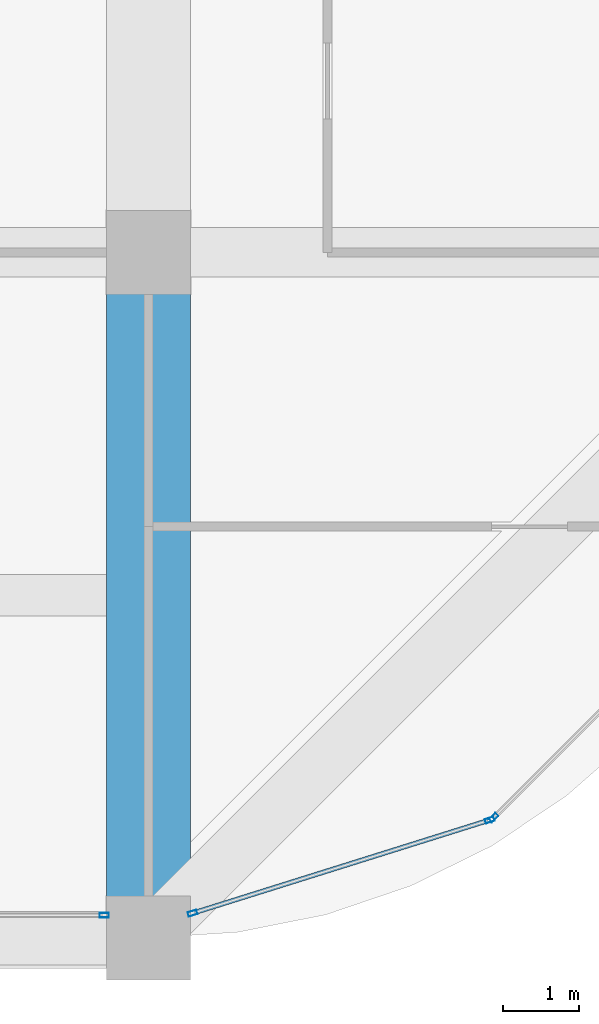
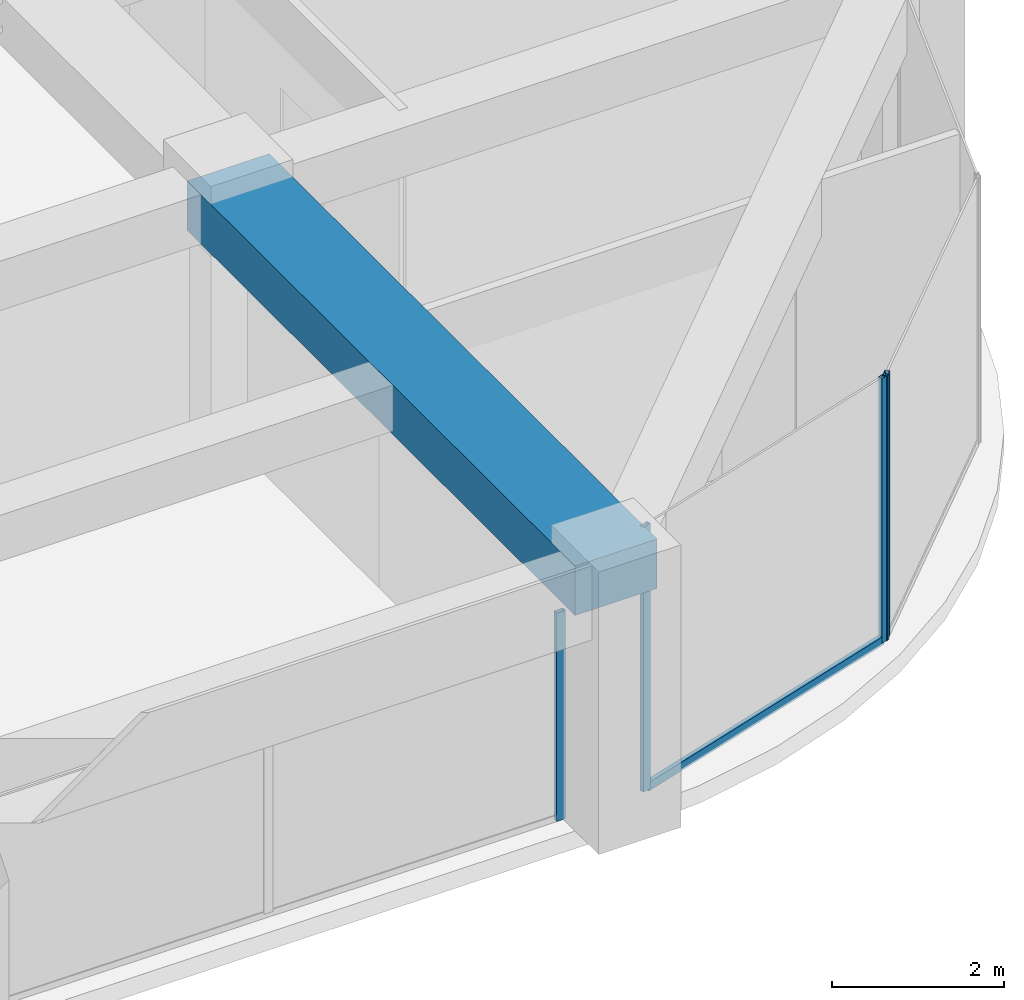
# One storey, part 18 of 45: 5 members, 1 beam, 3 elements without a shape of their own.
"""IFC4 building model written with IfcOpenShell, lengths in metres."""

from ifc_helpers import new_model, si_unit, direction, frame, origin, origin_2d, place, context, subcontext, project, spatial, rectangle, hollow_rectangle, extrude, material, material_profile, profile_set, type_object, element, aggregate, save


model = new_model("IFC4")

# Units and contexts
model_context = context("Model", 3, precision=1e-05, world=origin(), true_north=direction((0.0, 1.0)))
body_context = subcontext(model_context, "Body", "Model", "MODEL_VIEW")
ifc_project = project(units=[si_unit("LENGTHUNIT", "METRE"), si_unit("AREAUNIT", "SQUARE_METRE"), si_unit("VOLUMEUNIT", "CUBIC_METRE"), si_unit("PLANEANGLEUNIT", "RADIAN"), si_unit("MASSUNIT", "GRAM", prefix="KILO")], contexts=[model_context])

# Site, building, storey
site_placement = place(None, origin())
site = spatial("IfcSite", under=ifc_project, at=site_placement, CompositionType="ELEMENT")
building_placement = place(site_placement, origin())
building = spatial("IfcBuilding", under=site, at=building_placement, Name="Zorevar Civic Tower", CompositionType="ELEMENT")
storey_placement = place(building_placement, frame((0.0, 0.0, 279.39990234375)))
storey = spatial("IfcBuildingStorey", under=building, at=storey_placement, Name="L68", CompositionType="ELEMENT", Elevation=279.39990234375)

# Beam
ifc_material_1 = material(Name="Concrete C50/60", Category="concrete")
ifc_material_profile_1 = material_profile(ifc_material_1, rectangle(XDim=1.10009765625, YDim=0.699951171875, at=origin_2d()), Name="RC 1100x700")
ifc_profile_set_1 = profile_set([ifc_material_profile_1], Name="Concrete C50/60")
beam_type = type_object("IfcBeamType", Name="Beam RC 1100x700", PredefinedType="BEAM", material=ifc_profile_set_1)
beam_placement = place(storey_placement, frame((45.0, 0.0, 3.400146484375), z_axis=(0.0, 1.0, 0.0), x_axis=(-1.0, 0.0, 0.0)))
element("IfcBeam", 1, at=beam_placement, inside=storey, type_object=beam_type, Name="Girder L69", PredefinedType="BEAM", context=body_context, shape_type="SweptSolid", body=[
    extrude(rectangle(XDim=1.10009765625, YDim=0.699951171875, at=origin_2d()), origin(), (0.0, 0.0, 1.0), 9.0),
])

# Curtain wall, member
ifc_material_2 = material(Name="Dark grey solar-control glass in black aluminium frame", Category="aluminium")
curtain_wall_type = type_object("IfcCurtainWallType", Name="Curtain wall CW5 top zone", PredefinedType="NOTDEFINED", material=ifc_material_2)
curtain_wall_1_placement = place(storey_placement, origin())
curtain_wall_1 = element("IfcCurtainWall", 2, at=curtain_wall_1_placement, inside=storey, type_object=curtain_wall_type, Name="CW5 L68", PredefinedType="NOTDEFINED")
ifc_material_3 = material(Name="Aluminium, black anodised", Category="aluminium")
ifc_material_profile_2 = material_profile(ifc_material_3, hollow_rectangle(XDim=0.06005859375, YDim=0.1201171875, WallThickness=0.0029296875, at=origin_2d()), Name="AL 120x60x3")
ifc_profile_set_2 = profile_set([ifc_material_profile_2], Name="Aluminium, black anodised")
member_type_1 = type_object("IfcMemberType", Name="CW5 mullion AL 120x60x3", PredefinedType="MULLION", material=ifc_profile_set_2)
member_1_placement = place(storey_placement, frame((44.419921875, 0.300048828125, 0.0), z_axis=(0.0, 0.0, 1.0), x_axis=(0.0, 1.0, 0.0)))
member_1 = element("IfcMember", 3, at=member_1_placement, type_object=member_type_1, Name="CW5 mullion 3", PredefinedType="MULLION", context=body_context, shape_type="SweptSolid", body=[
    extrude(hollow_rectangle(XDim=0.06005859375, YDim=0.1201171875, WallThickness=0.0029296875, at=origin_2d()), origin(), (0.0, 0.0, 1.0), 2.9501953125),
])
aggregate(curtain_wall_1, [member_1])

# Curtain wall, members
curtain_wall_2_placement = place(storey_placement, origin())
curtain_wall_2 = element("IfcCurtainWall", 4, at=curtain_wall_2_placement, inside=storey, type_object=curtain_wall_type, Name="CW5 L68", PredefinedType="NOTDEFINED")
member_2_placement = place(storey_placement, frame((45.57861328125, 0.326416015625, 0.0), z_axis=(0.0, 0.0, 1.0), x_axis=(-0.299317920238, 0.954153437674, 0.0)))
member_2 = element("IfcMember", 5, at=member_2_placement, type_object=member_type_1, Name="CW5 mullion 1", PredefinedType="MULLION", context=body_context, shape_type="SweptSolid", body=[
    extrude(hollow_rectangle(XDim=0.06005859375, YDim=0.1201171875, WallThickness=0.0029296875, at=origin_2d()), origin(), (0.0, 0.0, 1.0), 3.75),
])
member_3_placement = place(storey_placement, frame((49.479248046875, 1.550048828125, 0.0), z_axis=(0.0, 0.0, 1.0), x_axis=(-0.299317920238, 0.954153437674, 0.0)))
member_3 = element("IfcMember", 6, at=member_3_placement, type_object=member_type_1, Name="CW5 mullion 2", PredefinedType="MULLION", context=body_context, shape_type="SweptSolid", body=[
    extrude(hollow_rectangle(XDim=0.06005859375, YDim=0.1201171875, WallThickness=0.0029296875, at=origin_2d()), origin(), (0.0, 0.0, 1.0), 3.75),
])

# Curtain wall, member
curtain_wall_3_placement = place(storey_placement, origin())
curtain_wall_3 = element("IfcCurtainWall", 7, at=curtain_wall_3_placement, inside=storey, type_object=curtain_wall_type, Name="CW5 L68", PredefinedType="NOTDEFINED")
member_4_placement = place(storey_placement, frame((49.529052734375, 1.580322265625, 0.0), z_axis=(0.0, 0.0, 1.0), x_axis=(-0.707106781187, 0.707106781187, 0.0)))
member_4 = element("IfcMember", 8, at=member_4_placement, type_object=member_type_1, Name="CW5 mullion 1", PredefinedType="MULLION", context=body_context, shape_type="SweptSolid", body=[
    extrude(hollow_rectangle(XDim=0.06005859375, YDim=0.1201171875, WallThickness=0.0029296875, at=origin_2d()), origin(), (0.0, 0.0, 1.0), 3.75),
])
aggregate(curtain_wall_3, [member_4])

# Member
ifc_material_4 = material(Name="Aluminium, black anodised", Category="aluminium")
ifc_material_profile_3 = material_profile(ifc_material_4, hollow_rectangle(XDim=0.06005859375, YDim=0.1201171875, WallThickness=0.0029296875, at=origin_2d()), Name="AL 120x60x3")
ifc_profile_set_3 = profile_set([ifc_material_profile_3], Name="Aluminium, black anodised")
member_type_2 = type_object("IfcMemberType", Name="CW5 transom AL 120x60x3", PredefinedType="USERDEFINED", material=ifc_profile_set_3)
member_5_placement = place(storey_placement, frame((45.607177734375, 0.33544921875, 0.030029296875), z_axis=(0.954163457351, 0.299285978047, 0.0), x_axis=(-0.299285978047, 0.954163457351, 0.0)))
member_5 = element("IfcMember", 9, at=member_5_placement, type_object=member_type_2, Name="CW5 sill transom", ObjectType="TRANSOM", PredefinedType="USERDEFINED", context=body_context, shape_type="SweptSolid", body=[
    extrude(hollow_rectangle(XDim=0.06005859375, YDim=0.1201171875, WallThickness=0.0029296875, at=origin_2d()), origin(), (0.0, 0.0, 1.0), 4.028076171875),
])

aggregate(curtain_wall_2, [member_2, member_3, member_5])

save(model, "model.ifc")
